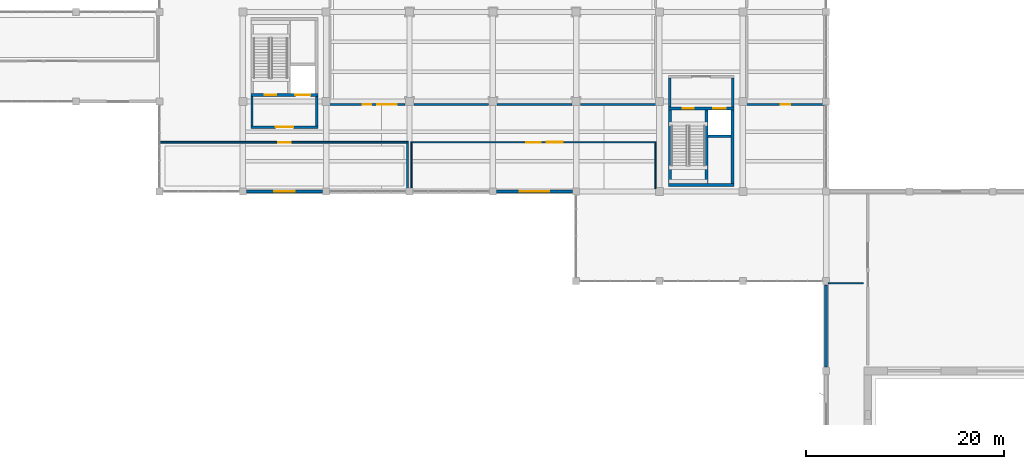
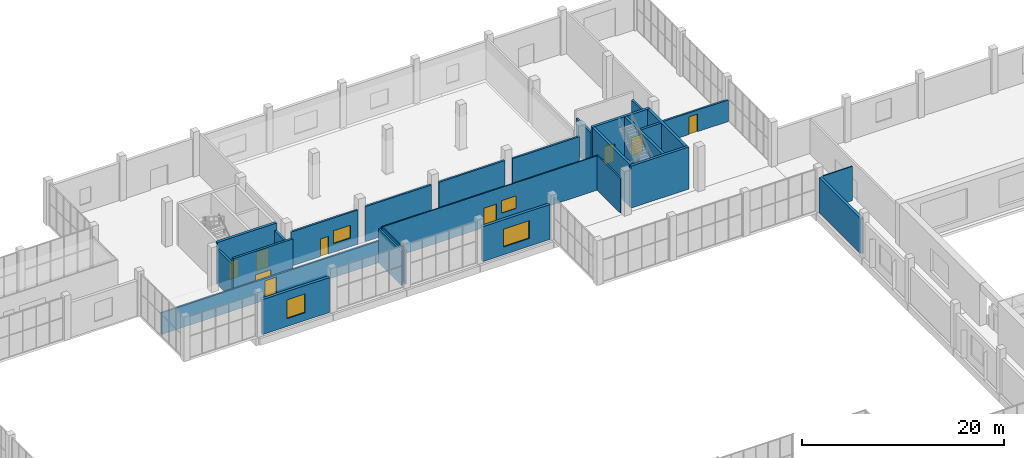
# One storey, part 81 of 91: 26 walls, 9 doors, 4 windows, 13 openings.
"""IFC4 building model written with IfcOpenShell, lengths in metres."""

from ifc_helpers import new_model, si_unit, direction, frame, frame_2d, origin, place, context, subcontext, project, spatial, rectangle, extrude, material, layer, layer_set, type_object, element, fill, save


model = new_model("IFC4")

# Units and contexts
model_context = context("Model", 3, precision=1e-05, world=origin(), true_north=direction((0.0, 1.0)))
body_context = subcontext(model_context, "Body", "Model", "MODEL_VIEW")
ifc_project = project(units=[si_unit("LENGTHUNIT", "METRE"), si_unit("AREAUNIT", "SQUARE_METRE"), si_unit("VOLUMEUNIT", "CUBIC_METRE"), si_unit("PLANEANGLEUNIT", "RADIAN"), si_unit("MASSUNIT", "GRAM", prefix="KILO")], contexts=[model_context])

# Site, building, storey
site_placement = place(None, origin())
site = spatial("IfcSite", under=ifc_project, at=site_placement, CompositionType="ELEMENT")
building_placement = place(site_placement, origin())
building = spatial("IfcBuilding", under=site, at=building_placement, Name="Khurvash Pelagic Aquarium", CompositionType="ELEMENT")
storey_placement = place(building_placement, origin())
storey = spatial("IfcBuildingStorey", under=building, at=storey_placement, Name="L00", CompositionType="ELEMENT", Elevation=0.0)

# Wall, opening, window
ifc_material_1 = material(Name="Precast concrete C40/50", Category="concrete")
ifc_layer_1 = layer(ifc_material_1, 0.320068359375)
ifc_layer_set_1 = layer_set([ifc_layer_1], Name="Precast concrete C40/50")
wall_type_1 = type_object("IfcWallType", Name="EW-320", PredefinedType="STANDARD", material=ifc_layer_set_1)
wall_1_placement = place(storey_placement, frame((67.554931640625, 84.050048828125, 0.0), z_axis=(0.0, 0.0, 1.0), x_axis=(1.0, 0.0, 0.0)))
wall_1 = element("IfcWall", 1, at=wall_1_placement, inside=storey, type_object=wall_type_1, Name="L00 Exterior Architectural Facade Wall EW-320 0034", PredefinedType="STANDARD", context=body_context, shape_type="SweptSolid", body=[
    extrude(rectangle(XDim=7.690185546875, YDim=0.320068359375, at=frame_2d((3.84521484375, 0.0))), origin(), (0.0, 0.0, 1.0), 4.22998046875),
])
opening_1_placement = place(wall_1_placement, frame((2.804931640625, 0.0, 0.949951171875)))
opening_1 = element("IfcOpeningElement", 2, at=opening_1_placement, cuts=wall_1, Name="Opening WN-36", PredefinedType="OPENING", context=body_context, shape_type="SweptSolid", body=[
    extrude(rectangle(XDim=2.080078125, YDim=2.280029296875, at=frame_2d((1.0400390625, 1.14013671875))), frame((0.0, 0.169921875, 0.0), z_axis=(0.0, -1.0, 0.0), x_axis=(1.0, 0.0, 0.0)), (0.0, 0.0, 1.0), 0.340087890625),
])
ifc_material_2 = material(Name="Thermally broken aluminium and low-E glass", Category="aluminium")
window_type_1 = type_object("IfcWindowType", Name="WN-36", PartitioningType="SINGLE_PANEL", PredefinedType="WINDOW", material=ifc_material_2)
window_1_placement = place(opening_1_placement, origin())
window_1 = element("IfcWindow", 3, at=window_1_placement, inside=storey, type_object=window_type_1, Name="L00 Facade Window WN-36 0016", OverallHeight=2.280029296875, OverallWidth=2.080078125, PartitioningType="SINGLE_PANEL", PredefinedType="WINDOW", context=body_context, shape_type="SweptSolid", body=[
    extrude(rectangle(XDim=2.080078125, YDim=2.280029296875, at=frame_2d((1.0400390625, 1.14013671875))), frame((0.0, 0.030029296875, 0.0), z_axis=(0.0, -1.0, 0.0), x_axis=(1.0, 0.0, 0.0)), (0.0, 0.0, 1.0), 0.06005859375),
])
fill(opening_1, window_1)

wall_2_placement = place(storey_placement, frame((92.7548828125, 84.050048828125, 0.0), z_axis=(0.0, 0.0, 1.0), x_axis=(1.0, 0.0, 0.0)))
wall_2 = element("IfcWall", 4, at=wall_2_placement, inside=storey, type_object=wall_type_1, Name="L00 Exterior Architectural Facade Wall EW-320 0035", PredefinedType="STANDARD", context=body_context, shape_type="SweptSolid", body=[
    extrude(rectangle(XDim=7.690185546875, YDim=0.320068359375, at=frame_2d((3.84521484375, 0.0))), origin(), (0.0, 0.0, 1.0), 4.22998046875),
])
opening_2_placement = place(wall_2_placement, frame((2.364990234375, 0.0, 0.949951171875)))
opening_2 = element("IfcOpeningElement", 5, at=opening_2_placement, cuts=wall_2, Name="Opening WN-40", PredefinedType="OPENING", context=body_context, shape_type="SweptSolid", body=[
    extrude(rectangle(XDim=2.9599609375, YDim=2.159912109375, at=frame_2d((1.47998046875, 1.080078125))), frame((0.0, 0.169921875, 0.0), z_axis=(0.0, -1.0, 0.0), x_axis=(1.0, 0.0, 0.0)), (0.0, 0.0, 1.0), 0.340087890625),
])
window_type_2 = type_object("IfcWindowType", Name="WN-40", PartitioningType="SINGLE_PANEL", PredefinedType="WINDOW", material=ifc_material_2)
window_2_placement = place(opening_2_placement, origin())
window_2 = element("IfcWindow", 6, at=window_2_placement, inside=storey, type_object=window_type_2, Name="L00 Facade Window WN-40 0017", OverallHeight=2.159912109375, OverallWidth=2.9599609375, PartitioningType="SINGLE_PANEL", PredefinedType="WINDOW", context=body_context, shape_type="SweptSolid", body=[
    extrude(rectangle(XDim=2.9599609375, YDim=2.159912109375, at=frame_2d((1.47998046875, 1.080078125))), frame((0.0, 0.030029296875, 0.0), z_axis=(0.0, -1.0, 0.0), x_axis=(1.0, 0.0, 0.0)), (0.0, 0.0, 1.0), 0.06005859375),
])
fill(opening_2, window_2)

# Walls
wall_3_placement = place(storey_placement, frame((126.0, 74.590087890625, 0.0), z_axis=(0.0, 0.0, 1.0), x_axis=(0.0, -1.0, 0.0)))
element("IfcWall", 7, at=wall_3_placement, inside=storey, type_object=wall_type_1, Name="L00 Ocean Tank Hall West Courtyard Wall EW-320 B6", PredefinedType="STANDARD", context=body_context, shape_type="SweptSolid", body=[
    extrude(rectangle(XDim=8.22998046875, YDim=0.320068359375, at=frame_2d((4.114990234375, 0.0))), origin(), (0.0, 0.0, 1.0), 4.239990234375),
])
ifc_material_3 = material(Name="Moisture-resistant gypsum and steel stud", Category="steel")
ifc_layer_2 = layer(ifc_material_3, 0.125)
ifc_layer_set_2 = layer_set([ifc_layer_2], Name="Moisture-resistant gypsum and steel stud")
wall_type_2 = type_object("IfcWallType", Name="PW-125", PredefinedType="PARTITIONING", material=ifc_layer_set_2)
wall_4_placement = place(storey_placement, frame((126.237060546875, 74.800048828125, 0.0), z_axis=(0.0, 0.0, 1.0), x_axis=(1.0, 0.0, 0.0)))
element("IfcWall", 8, at=wall_4_placement, inside=storey, type_object=wall_type_2, Name="L00 Ocean Tank West Viewing Concourse Partition Wall PW-125", PredefinedType="PARTITIONING", context=body_context, shape_type="SweptSolid", body=[
    extrude(rectangle(XDim=3.52490234375, YDim=0.125, at=frame_2d((1.762451171875, 0.0))), origin(), (0.0, 0.0, 1.0), 4.139892578125),
])

# Wall, openings, door, window
ifc_layer_3 = layer(ifc_material_3, 0.139892578125)
ifc_layer_set_3 = layer_set([ifc_layer_3], Name="Moisture-resistant gypsum and steel stud")
wall_type_3 = type_object("IfcWallType", Name="PW-140", PredefinedType="PARTITIONING", material=ifc_layer_set_3)
wall_5_placement = place(storey_placement, frame((84.1298828125, 89.0, 0.0), z_axis=(0.0, 0.0, 1.0), x_axis=(1.0, 0.0, 0.0)))
wall_5 = element("IfcWall", 9, at=wall_5_placement, inside=storey, type_object=wall_type_3, Name="L00 Husbandry Commissary and Food Prep Lab Partition Wall PW-140", PredefinedType="PARTITIONING", context=body_context, shape_type="SweptSolid", body=[
    extrude(rectangle(XDim=24.740234375, YDim=0.139892578125, at=frame_2d((12.3701171875, 0.0))), origin(), (0.0, 0.0, 1.0), 4.139892578125),
])
opening_3_placement = place(wall_5_placement, frame((11.64990234375, 0.0, 0.0)))
opening_3 = element("IfcOpeningElement", 10, at=opening_3_placement, cuts=wall_5, Name="Opening ID-14", PredefinedType="OPENING", context=body_context, shape_type="SweptSolid", body=[
    extrude(rectangle(XDim=1.43994140625, YDim=2.35009765625, at=frame_2d((0.719970703125, 1.175048828125))), frame((0.0, 0.080078125, 0.0), z_axis=(0.0, -1.0, 0.0), x_axis=(1.0, 0.0, 0.0)), (0.0, 0.0, 1.0), 0.159912109375),
])
opening_4_placement = place(wall_5_placement, frame((13.68994140625, 0.0, 1.050048828125)))
opening_4 = element("IfcOpeningElement", 11, at=opening_4_placement, cuts=wall_5, Name="Opening IW-07", PredefinedType="OPENING", context=body_context, shape_type="SweptSolid", body=[
    extrude(rectangle(XDim=1.64990234375, YDim=1.5, at=frame_2d((0.824951171875, 0.75))), frame((0.0, 0.080078125, 0.0), z_axis=(0.0, -1.0, 0.0), x_axis=(1.0, 0.0, 0.0)), (0.0, 0.0, 1.0), 0.159912109375),
])
ifc_material_4 = material(Name="Mechanical plant access door", Category="wood")
door_type_1 = type_object("IfcDoorType", Name="ID-14", OperationType="NOTDEFINED", PredefinedType="DOOR", material=ifc_material_4)
door_1_placement = place(opening_3_placement, frame((1.43994140625, 0.0, 0.0), z_axis=(0.0, 0.0, 1.0), x_axis=(-1.0, 0.0, 0.0)))
door_1 = element("IfcDoor", 12, at=door_1_placement, inside=storey, type_object=door_type_1, Name="DR-0081", OperationType="SINGLE_SWING_LEFT", OverallHeight=2.35009765625, OverallWidth=1.43994140625, PredefinedType="DOOR", context=body_context, shape_type="SweptSolid", body=[
    extrude(rectangle(XDim=1.43994140625, YDim=2.35009765625, at=frame_2d((0.719970703125, 1.175048828125))), frame((0.0, 0.02490234375, 0.0), z_axis=(0.0, -1.0, 0.0), x_axis=(1.0, 0.0, 0.0)), (0.0, 0.0, 1.0), 0.050048828125),
])
fill(opening_3, door_1)
ifc_material_5 = material(Name="Acoustic laminated interior observation glazing", Category="glass")
window_type_3 = type_object("IfcWindowType", Name="IW-07", PartitioningType="SINGLE_PANEL", PredefinedType="WINDOW", material=ifc_material_5)
window_3_placement = place(opening_4_placement, origin())
window_3 = element("IfcWindow", 13, at=window_3_placement, inside=storey, type_object=window_type_3, Name="L00 Husbandry Commissary and Food Prep Lab Observation Window IW-07", OverallHeight=1.5, OverallWidth=1.64990234375, PartitioningType="SINGLE_PANEL", PredefinedType="WINDOW", context=body_context, shape_type="SweptSolid", body=[
    extrude(rectangle(XDim=1.64990234375, YDim=1.5, at=frame_2d((0.824951171875, 0.75))), frame((0.0, 0.030029296875, 0.0), z_axis=(0.0, -1.0, 0.0), x_axis=(1.0, 0.0, 0.0)), (0.0, 0.0, 1.0), 0.06005859375),
])
fill(opening_4, window_3)

# Walls
wall_6_placement = place(storey_placement, frame((108.800048828125, 84.320068359375, 0.0), z_axis=(0.0, 0.0, 1.0), x_axis=(0.0, 1.0, 0.0)))
element("IfcWall", 14, at=wall_6_placement, inside=storey, type_object=wall_type_3, Name="L00 Husbandry Commissary and Food Prep Lab Partition Wall PW-140", PredefinedType="PARTITIONING", context=body_context, shape_type="SweptSolid", body=[
    extrude(rectangle(XDim=4.60986328125, YDim=0.139892578125, at=frame_2d((2.304931640625, 0.0))), origin(), (0.0, 0.0, 1.0), 4.22998046875),
])
wall_7_placement = place(storey_placement, frame((84.199951171875, 84.320068359375, 0.0), z_axis=(0.0, 0.0, 1.0), x_axis=(0.0, 1.0, 0.0)))
element("IfcWall", 15, at=wall_7_placement, inside=storey, type_object=wall_type_3, Name="L00 Husbandry Commissary and Food Prep Lab Partition Wall PW-140", PredefinedType="PARTITIONING", context=body_context, shape_type="SweptSolid", body=[
    extrude(rectangle(XDim=4.60986328125, YDim=0.139892578125, at=frame_2d((2.304931640625, 0.0))), origin(), (0.0, 0.0, 1.0), 4.139892578125),
])

# Wall, opening, door
ifc_material_6 = material(Name="AAC blockwork", Category="masonry")
ifc_layer_4 = layer(ifc_material_6, 0.18505859375)
ifc_layer_set_4 = layer_set([ifc_layer_4], Name="AAC blockwork")
wall_type_4 = type_object("IfcWallType", Name="PW-185", PredefinedType="PARTITIONING", material=ifc_layer_set_4)
wall_8_placement = place(storey_placement, frame((58.906982421875, 89.0, 0.0), z_axis=(0.0, 0.0, 1.0), x_axis=(1.0, 0.0, 0.0)))
wall_8 = element("IfcWall", 16, at=wall_8_placement, inside=storey, type_object=wall_type_4, Name="L00 Primary Marine Quarantine Tank Suite Partition Wall PW-185", PredefinedType="PARTITIONING", context=body_context, shape_type="SweptSolid", body=[
    extrude(rectangle(XDim=24.985107421875, YDim=0.18505859375, at=frame_2d((12.49267578125, 0.0))), origin(), (0.0, 0.0, 1.0), 2.616943359375),
])
opening_5_placement = place(wall_8_placement, frame((11.85205078125, 0.0, 0.0)))
opening_5 = element("IfcOpeningElement", 17, at=opening_5_placement, cuts=wall_8, Name="Opening ID-13", PredefinedType="OPENING", context=body_context, shape_type="SweptSolid", body=[
    extrude(rectangle(XDim=1.280029296875, YDim=2.35009765625, at=frame_2d((0.64013671875, 1.175048828125))), frame((0.0, 0.1025390625, 0.0), z_axis=(0.0, -1.0, 0.0), x_axis=(1.0, 0.0, 0.0)), (0.0, 0.0, 1.0), 0.205078125),
])
ifc_material_7 = material(Name="Veterinary surgical suite door", Category="wood")
door_type_2 = type_object("IfcDoorType", Name="ID-13", OperationType="NOTDEFINED", PredefinedType="DOOR", material=ifc_material_7)
door_2_placement = place(opening_5_placement, frame((1.280029296875, 0.0, 0.0), z_axis=(0.0, 0.0, 1.0), x_axis=(-1.0, 0.0, 0.0)))
door_2 = element("IfcDoor", 18, at=door_2_placement, inside=storey, type_object=door_type_2, Name="DR-0080", OperationType="SINGLE_SWING_RIGHT", OverallHeight=2.35009765625, OverallWidth=1.280029296875, PredefinedType="DOOR", context=body_context, shape_type="SweptSolid", body=[
    extrude(rectangle(XDim=1.280029296875, YDim=2.35009765625, at=frame_2d((0.64013671875, 1.175048828125))), frame((0.0, 0.02490234375, 0.0), z_axis=(0.0, -1.0, 0.0), x_axis=(1.0, 0.0, 0.0)), (0.0, 0.0, 1.0), 0.050048828125),
])
fill(opening_5, door_2)

# Wall
wall_9_placement = place(storey_placement, frame((83.800048828125, 84.343017578125, 0.0), z_axis=(0.0, 0.0, 1.0), x_axis=(0.0, 1.0, 0.0)))
element("IfcWall", 19, at=wall_9_placement, inside=storey, type_object=wall_type_4, Name="L00 Primary Marine Quarantine Tank Suite Partition Wall PW-185", PredefinedType="PARTITIONING", context=body_context, shape_type="SweptSolid", body=[
    extrude(rectangle(XDim=4.56396484375, YDim=0.18505859375, at=frame_2d((2.281982421875, 0.0))), origin(), (0.0, 0.0, 1.0), 4.139892578125),
])

# Wall, openings, door, window
ifc_layer_5 = layer(ifc_material_6, 0.215087890625)
ifc_layer_set_5 = layer_set([ifc_layer_5], Name="AAC blockwork")
wall_type_5 = type_object("IfcWallType", Name="PW-215", PredefinedType="PARTITIONING", material=ifc_layer_set_5)
wall_10_placement = place(storey_placement, frame((75.89208984375, 92.800048828125, 0.0), z_axis=(0.0, 0.0, 1.0), x_axis=(1.0, 0.0, 0.0)))
wall_10 = element("IfcWall", 20, at=wall_10_placement, inside=storey, type_object=wall_type_5, Name="L00 Elasmobranch Acclimation Tank Hall Partition Wall PW-215", PredefinedType="PARTITIONING", context=body_context, shape_type="SweptSolid", body=[
    extrude(rectangle(XDim=7.66796875, YDim=0.215087890625, at=frame_2d((3.833984375, 0.0))), origin(), (0.0, 0.0, 1.0), 4.139892578125),
])
opening_6_placement = place(wall_10_placement, frame((3.39404296875, 0.0, 0.0)))
opening_6 = element("IfcOpeningElement", 21, at=opening_6_placement, cuts=wall_10, Name="Opening ID-25", PredefinedType="OPENING", context=body_context, shape_type="SweptSolid", body=[
    extrude(rectangle(XDim=0.8798828125, YDim=2.1201171875, at=frame_2d((0.43994140625, 1.06005859375))), frame((0.0, 0.11767578125, 0.0), z_axis=(0.0, -1.0, 0.0), x_axis=(1.0, 0.0, 0.0)), (0.0, 0.0, 1.0), 0.235107421875),
])
opening_7_placement = place(wall_10_placement, frame((4.8740234375, 0.0, 1.050048828125)))
opening_7 = element("IfcOpeningElement", 22, at=opening_7_placement, cuts=wall_10, Name="Opening IW-08", PredefinedType="OPENING", context=body_context, shape_type="SweptSolid", body=[
    extrude(rectangle(XDim=1.949951171875, YDim=1.550048828125, at=frame_2d((0.97509765625, 0.77490234375))), frame((0.0, 0.11767578125, 0.0), z_axis=(0.0, -1.0, 0.0), x_axis=(1.0, 0.0, 0.0)), (0.0, 0.0, 1.0), 0.235107421875),
])
ifc_material_8 = material(Name="High-pressure laminate utility door", Category="wood")
door_type_3 = type_object("IfcDoorType", Name="ID-25", OperationType="NOTDEFINED", PredefinedType="DOOR", material=ifc_material_8)
door_3_placement = place(opening_6_placement, origin())
door_3 = element("IfcDoor", 23, at=door_3_placement, inside=storey, type_object=door_type_3, Name="DR-0082", OperationType="SINGLE_SWING_RIGHT", OverallHeight=2.1201171875, OverallWidth=0.8798828125, PredefinedType="DOOR", context=body_context, shape_type="SweptSolid", body=[
    extrude(rectangle(XDim=0.8798828125, YDim=2.1201171875, at=frame_2d((0.43994140625, 1.06005859375))), frame((0.0, 0.02490234375, 0.0), z_axis=(0.0, -1.0, 0.0), x_axis=(1.0, 0.0, 0.0)), (0.0, 0.0, 1.0), 0.050048828125),
])
fill(opening_6, door_3)
window_type_4 = type_object("IfcWindowType", Name="IW-08", PartitioningType="SINGLE_PANEL", PredefinedType="WINDOW", material=ifc_material_5)
window_4_placement = place(opening_7_placement, origin())
window_4 = element("IfcWindow", 24, at=window_4_placement, inside=storey, type_object=window_type_4, Name="L00 Elasmobranch Acclimation Tank Hall Observation Window IW-08", OverallHeight=1.550048828125, OverallWidth=1.949951171875, PartitioningType="SINGLE_PANEL", PredefinedType="WINDOW", context=body_context, shape_type="SweptSolid", body=[
    extrude(rectangle(XDim=1.949951171875, YDim=1.550048828125, at=frame_2d((0.97509765625, 0.77490234375))), frame((0.0, 0.030029296875, 0.0), z_axis=(0.0, -1.0, 0.0), x_axis=(1.0, 0.0, 0.0)), (0.0, 0.0, 1.0), 0.06005859375),
])
fill(opening_7, window_4)

# Walls
for number, where, z_axis, x_axis, name in (
    (25, (84.43994140625, 92.800048828125, 0.0), (0.0, 0.0, 1.0), (1.0, 0.0, 0.0), "L00 Elasmobranch Acclimation Tank Hall Partition Wall PW-215"),
    (26, (92.840087890625, 92.800048828125, 0.0), (0.0, 0.0, 1.0), (1.0, 0.0, 0.0), "L00 Elasmobranch Acclimation Tank Hall Partition Wall PW-215"),
):
    element("IfcWall", number, at=place(storey_placement, frame(where, z_axis=z_axis, x_axis=x_axis)), inside=storey, type_object=wall_type_5, Name=name, PredefinedType="PARTITIONING", context=body_context, shape_type="SweptSolid", body=[
        extrude(rectangle(XDim=7.52001953125, YDim=0.215087890625, at=frame_2d((3.760009765625, 0.0))), origin(), (0.0, 0.0, 1.0), 4.22998046875),
    ])
wall_11_placement = place(storey_placement, frame((101.239990234375, 92.800048828125, 0.0), z_axis=(0.0, 0.0, 1.0), x_axis=(1.0, 0.0, 0.0)))
element("IfcWall", 27, at=wall_11_placement, inside=storey, type_object=wall_type_5, Name="L00 Elasmobranch Acclimation Tank Hall Partition Wall PW-215", PredefinedType="PARTITIONING", context=body_context, shape_type="SweptSolid", body=[
    extrude(rectangle(XDim=7.6669921875, YDim=0.215087890625, at=frame_2d((3.83349609375, 0.0))), origin(), (0.0, 0.0, 1.0), 4.139892578125),
])

# Wall, opening, door
wall_12_placement = place(storey_placement, frame((117.89208984375, 92.800048828125, 0.0), z_axis=(0.0, 0.0, 1.0), x_axis=(1.0, 0.0, 0.0)))
wall_12 = element("IfcWall", 28, at=wall_12_placement, inside=storey, type_object=wall_type_5, Name="L00 Specimen Quarantine Loading Dock Partition Wall PW-215", PredefinedType="PARTITIONING", context=body_context, shape_type="SweptSolid", body=[
    extrude(rectangle(XDim=8.014892578125, YDim=0.215087890625, at=frame_2d((4.00732421875, 0.0))), origin(), (0.0, 0.0, 1.0), 2.616943359375),
])
opening_8_placement = place(wall_12_placement, frame((3.5380859375, 0.0, 0.0)))
opening_8 = element("IfcOpeningElement", 29, at=opening_8_placement, cuts=wall_12, Name="Opening ID-26", PredefinedType="OPENING", context=body_context, shape_type="SweptSolid", body=[
    extrude(rectangle(XDim=0.93994140625, YDim=2.139892578125, at=frame_2d((0.469970703125, 1.06982421875))), frame((0.0, 0.11767578125, 0.0), z_axis=(0.0, -1.0, 0.0), x_axis=(1.0, 0.0, 0.0)), (0.0, 0.0, 1.0), 0.235107421875),
])
ifc_material_9 = material(Name="High-pressure laminate store door", Category="wood")
door_type_4 = type_object("IfcDoorType", Name="ID-26", OperationType="NOTDEFINED", PredefinedType="DOOR", material=ifc_material_9)
door_4_placement = place(opening_8_placement, origin())
door_4 = element("IfcDoor", 30, at=door_4_placement, inside=storey, type_object=door_type_4, Name="DR-0083", OperationType="SINGLE_SWING_LEFT", OverallHeight=2.139892578125, OverallWidth=0.93994140625, PredefinedType="DOOR", context=body_context, shape_type="SweptSolid", body=[
    extrude(rectangle(XDim=0.93994140625, YDim=2.139892578125, at=frame_2d((0.469970703125, 1.06982421875))), frame((0.0, 0.02490234375, 0.0), z_axis=(0.0, -1.0, 0.0), x_axis=(1.0, 0.0, 0.0)), (0.0, 0.0, 1.0), 0.050048828125),
])
fill(opening_8, door_4)

ifc_layer_6 = layer(ifc_material_6, 0.25)
ifc_layer_set_6 = layer_set([ifc_layer_6], Name="AAC blockwork")
wall_type_6 = type_object("IfcWallType", Name="PW-250", PredefinedType="PARTITIONING", material=ifc_layer_set_6)
wall_13_placement = place(storey_placement, frame((68.0, 90.52490234375, 0.0), z_axis=(0.0, 0.0, 1.0), x_axis=(1.0, 0.0, 0.0)))
wall_13 = element("IfcWall", 31, at=wall_13_placement, inside=storey, type_object=wall_type_6, Name="L00 Core C4 Lobby Front Fire Wall PW-250", PredefinedType="PARTITIONING", context=body_context, shape_type="SweptSolid", body=[
    extrude(rectangle(XDim=6.800048828125, YDim=0.25, at=frame_2d((3.39990234375, 0.0))), origin(), (0.0, 0.0, 1.0), 5.090087890625),
])
opening_9_placement = place(wall_13_placement, frame((2.5, 0.0, 0.0)))
opening_9 = element("IfcOpeningElement", 32, at=opening_9_placement, cuts=wall_13, Name="Opening FD-02", PredefinedType="OPENING", context=body_context, shape_type="SweptSolid", body=[
    extrude(rectangle(XDim=1.800048828125, YDim=2.25, at=frame_2d((0.89990234375, 1.125))), frame((0.0, 0.135009765625, 0.0), z_axis=(0.0, -1.0, 0.0), x_axis=(1.0, 0.0, 0.0)), (0.0, 0.0, 1.0), 0.27001953125),
])
ifc_material_10 = material(Name="Galvanised steel double fire door", Category="steel")
door_type_5 = type_object("IfcDoorType", Name="FD-02", OperationType="DOUBLE_DOOR_SINGLE_SWING", PredefinedType="DOOR", material=ifc_material_10)
door_5_placement = place(opening_9_placement, frame((1.800048828125, 0.0, 0.0), z_axis=(0.0, 0.0, 1.0), x_axis=(-1.0, 0.0, 0.0)))
door_5 = element("IfcDoor", 33, at=door_5_placement, inside=storey, type_object=door_type_5, Name="DR-0087", OperationType="DOUBLE_DOOR_SINGLE_SWING", OverallHeight=2.25, OverallWidth=1.800048828125, PredefinedType="DOOR", context=body_context, shape_type="SweptSolid", body=[
    extrude(rectangle(XDim=1.800048828125, YDim=2.25, at=frame_2d((0.89990234375, 1.125))), frame((0.0, 0.02490234375, 0.0), z_axis=(0.0, -1.0, 0.0), x_axis=(1.0, 0.0, 0.0)), (0.0, 0.0, 1.0), 0.050048828125),
])
fill(opening_9, door_5)

# Walls
for number, where, z_axis, x_axis, name in (
    (34, (68.125, 90.64990234375, 0.0), (0.0, 0.0, 1.0), (0.0, 1.0, 0.0), "L00 Core C4 Lobby West Fire Wall PW-250"),
    (35, (74.675048828125, 90.64990234375, 0.0), (0.0, 0.0, 1.0), (0.0, 1.0, 0.0), "L00 Core C4 Lobby East Fire Wall PW-250"),
):
    element("IfcWall", number, at=place(storey_placement, frame(where, z_axis=z_axis, x_axis=x_axis)), inside=storey, type_object=wall_type_6, Name=name, PredefinedType="PARTITIONING", context=body_context, shape_type="SweptSolid", body=[
        extrude(rectangle(XDim=2.9501953125, YDim=0.25, at=frame_2d((1.47509765625, 0.0))), origin(), (0.0, 0.0, 1.0), 4.22998046875),
    ])
for number, where, z_axis, x_axis, name in (
    (36, (110.22509765625, 92.550048828125, 0.0), (0.0, 0.0, 1.0), (0.0, 1.0, 0.0), "L00 Core C6 Lobby West Fire Wall PW-250"),
    (37, (116.574951171875, 92.550048828125, 0.0), (0.0, 0.0, 1.0), (0.0, 1.0, 0.0), "L00 Core C6 Lobby East Fire Wall PW-250"),
):
    element("IfcWall", number, at=place(storey_placement, frame(where, z_axis=z_axis, x_axis=x_axis)), inside=storey, type_object=wall_type_6, Name=name, PredefinedType="PARTITIONING", context=body_context, shape_type="SweptSolid", body=[
        extrude(rectangle(XDim=2.949951171875, YDim=0.25, at=frame_2d((1.47509765625, 0.0))), origin(), (0.0, 0.0, 1.0), 4.22998046875),
    ])
ifc_material_11 = material(Name="Concrete C40/50", Category="concrete")
ifc_layer_7 = layer(ifc_material_11, 0.27490234375)
ifc_layer_set_7 = layer_set([ifc_layer_7], Name="Concrete C40/50")
wall_type_7 = type_object("IfcWallType", Name="SW-275", PredefinedType="SHEAR", material=ifc_layer_set_7)
wall_14_placement = place(storey_placement, frame((114.10009765625, 89.612060546875, 0.0), z_axis=(0.0, 0.0, 1.0), x_axis=(1.0, 0.0, 0.0)))
element("IfcWall", 38, at=wall_14_placement, inside=storey, type_object=wall_type_7, Name="L00 Lift PL-03 Shaft Rear Shear Wall SW-275", PredefinedType="SHEAR", context=body_context, shape_type="SweptSolid", body=[
    extrude(rectangle(XDim=2.2998046875, YDim=0.27490234375, at=frame_2d((1.14990234375, 0.0))), origin(), (0.0, 0.0, 1.0), 5.090087890625),
])

# Wall, openings, doors
ifc_layer_8 = layer(ifc_material_11, 0.300048828125)
ifc_layer_set_8 = layer_set([ifc_layer_8], Name="Concrete C40/50")
wall_type_8 = type_object("IfcWallType", Name="SW-300", PredefinedType="SHEAR", material=ifc_layer_set_8)
wall_15_placement = place(storey_placement, frame((68.0, 93.75, 0.0), z_axis=(0.0, 0.0, 1.0), x_axis=(1.0, 0.0, 0.0)))
wall_15 = element("IfcWall", 39, at=wall_15_placement, inside=storey, type_object=wall_type_8, Name="L00 Core C4 South Shear Wall SW-300", PredefinedType="SHEAR", context=body_context, shape_type="SweptSolid", body=[
    extrude(rectangle(XDim=6.800048828125, YDim=0.300048828125, at=frame_2d((3.39990234375, 0.0))), origin(), (0.0, 0.0, 1.0), 5.090087890625),
])
opening_10_placement = place(wall_15_placement, frame((1.425048828125, 0.0, 0.0)))
opening_10 = element("IfcOpeningElement", 40, at=opening_10_placement, cuts=wall_15, Name="Opening FD-01", PredefinedType="OPENING", context=body_context, shape_type="SweptSolid", body=[
    extrude(rectangle(XDim=1.14990234375, YDim=2.199951171875, at=frame_2d((0.574951171875, 1.10009765625))), frame((0.0, 0.16015625, 0.0), z_axis=(0.0, -1.0, 0.0), x_axis=(1.0, 0.0, 0.0)), (0.0, 0.0, 1.0), 0.320068359375),
])
opening_11_placement = place(wall_15_placement, frame((4.5, 0.0, 0.0)))
opening_11 = element("IfcOpeningElement", 41, at=opening_11_placement, cuts=wall_15, Name="Opening LD-03", PredefinedType="OPENING", context=body_context, shape_type="SweptSolid", body=[
    extrude(rectangle(XDim=1.5, YDim=2.300048828125, at=frame_2d((0.75, 1.14990234375))), frame((0.0, 0.16015625, 0.0), z_axis=(0.0, -1.0, 0.0), x_axis=(1.0, 0.0, 0.0)), (0.0, 0.0, 1.0), 0.320068359375),
])
ifc_material_12 = material(Name="Galvanised steel fire door", Category="steel")
door_type_6 = type_object("IfcDoorType", Name="FD-01", OperationType="NOTDEFINED", PredefinedType="DOOR", material=ifc_material_12)
door_6_placement = place(opening_10_placement, frame((1.14990234375, 0.0, 0.0), z_axis=(0.0, 0.0, 1.0), x_axis=(-1.0, 0.0, 0.0)))
door_6 = element("IfcDoor", 42, at=door_6_placement, inside=storey, type_object=door_type_6, Name="DR-0035", OperationType="SINGLE_SWING_RIGHT", OverallHeight=2.199951171875, OverallWidth=1.14990234375, PredefinedType="DOOR", context=body_context, shape_type="SweptSolid", body=[
    extrude(rectangle(XDim=1.14990234375, YDim=2.199951171875, at=frame_2d((0.574951171875, 1.10009765625))), frame((0.0, 0.02490234375, 0.0), z_axis=(0.0, -1.0, 0.0), x_axis=(1.0, 0.0, 0.0)), (0.0, 0.0, 1.0), 0.050048828125),
])
fill(opening_10, door_6)
ifc_material_13 = material(Name="Brushed stainless steel 316 goods lift landing door", Category="steel")
door_type_7 = type_object("IfcDoorType", Name="LD-03", OperationType="DOUBLE_DOOR_SLIDING", PredefinedType="DOOR", material=ifc_material_13)
door_7_placement = place(opening_11_placement, origin())
door_7 = element("IfcDoor", 43, at=door_7_placement, inside=storey, type_object=door_type_7, Name="DR-0041", OperationType="DOUBLE_DOOR_SLIDING", OverallHeight=2.300048828125, OverallWidth=1.5, PredefinedType="DOOR", context=body_context, shape_type="SweptSolid", body=[
    extrude(rectangle(XDim=1.5, YDim=2.300048828125, at=frame_2d((0.75, 1.14990234375))), frame((0.0, 0.02490234375, 0.0), z_axis=(0.0, -1.0, 0.0), x_axis=(1.0, 0.0, 0.0)), (0.0, 0.0, 1.0), 0.050048828125),
])
fill(opening_11, door_7)

# Wall
wall_16_placement = place(storey_placement, frame((110.10009765625, 84.699951171875, 0.0), z_axis=(0.0, 0.0, 1.0), x_axis=(1.0, 0.0, 0.0)))
element("IfcWall", 44, at=wall_16_placement, inside=storey, type_object=wall_type_8, Name="L00 Core C6 South Shear Wall SW-300", PredefinedType="SHEAR", context=body_context, shape_type="SweptSolid", body=[
    extrude(rectangle(XDim=6.599853515625, YDim=0.300048828125, at=frame_2d((3.2998046875, 0.0))), origin(), (0.0, 0.0, 1.0), 5.090087890625),
])

# Wall, openings, doors
wall_17_placement = place(storey_placement, frame((110.10009765625, 92.39990234375, 0.0), z_axis=(0.0, 0.0, 1.0), x_axis=(1.0, 0.0, 0.0)))
wall_17 = element("IfcWall", 45, at=wall_17_placement, inside=storey, type_object=wall_type_8, Name="L00 Core C6 North Shear Wall SW-300", PredefinedType="SHEAR", context=body_context, shape_type="SweptSolid", body=[
    extrude(rectangle(XDim=6.599853515625, YDim=0.300048828125, at=frame_2d((3.2998046875, 0.0))), origin(), (0.0, 0.0, 1.0), 5.090087890625),
])
opening_12_placement = place(wall_17_placement, frame((1.425048828125, 0.0, 0.0)))
opening_12 = element("IfcOpeningElement", 46, at=opening_12_placement, cuts=wall_17, Name="Opening FD-01", PredefinedType="OPENING", context=body_context, shape_type="SweptSolid", body=[
    extrude(rectangle(XDim=1.14990234375, YDim=2.199951171875, at=frame_2d((0.574951171875, 1.10009765625))), frame((0.0, 0.16015625, 0.0), z_axis=(0.0, -1.0, 0.0), x_axis=(1.0, 0.0, 0.0)), (0.0, 0.0, 1.0), 0.320068359375),
])
opening_13_placement = place(wall_17_placement, frame((4.5, 0.0, 0.0)))
opening_13 = element("IfcOpeningElement", 47, at=opening_13_placement, cuts=wall_17, Name="Opening LD-02", PredefinedType="OPENING", context=body_context, shape_type="SweptSolid", body=[
    extrude(rectangle(XDim=1.300048828125, YDim=2.199951171875, at=frame_2d((0.64990234375, 1.10009765625))), frame((0.0, 0.16015625, 0.0), z_axis=(0.0, -1.0, 0.0), x_axis=(1.0, 0.0, 0.0)), (0.0, 0.0, 1.0), 0.320068359375),
])
door_8_placement = place(opening_12_placement, origin())
door_8 = element("IfcDoor", 48, at=door_8_placement, inside=storey, type_object=door_type_6, Name="DR-0037", OperationType="SINGLE_SWING_LEFT", OverallHeight=2.199951171875, OverallWidth=1.14990234375, PredefinedType="DOOR", context=body_context, shape_type="SweptSolid", body=[
    extrude(rectangle(XDim=1.14990234375, YDim=2.199951171875, at=frame_2d((0.574951171875, 1.10009765625))), frame((0.0, 0.02490234375, 0.0), z_axis=(0.0, -1.0, 0.0), x_axis=(1.0, 0.0, 0.0)), (0.0, 0.0, 1.0), 0.050048828125),
])
fill(opening_12, door_8)
ifc_material_14 = material(Name="Brushed stainless steel 316 lift landing door", Category="steel")
door_type_8 = type_object("IfcDoorType", Name="LD-02", OperationType="DOUBLE_DOOR_SLIDING", PredefinedType="DOOR", material=ifc_material_14)
door_9_placement = place(opening_13_placement, origin())
door_9 = element("IfcDoor", 49, at=door_9_placement, inside=storey, type_object=door_type_8, Name="DR-0043", OperationType="DOUBLE_DOOR_SLIDING", OverallHeight=2.199951171875, OverallWidth=1.300048828125, PredefinedType="DOOR", context=body_context, shape_type="SweptSolid", body=[
    extrude(rectangle(XDim=1.300048828125, YDim=2.199951171875, at=frame_2d((0.64990234375, 1.10009765625))), frame((0.0, 0.02490234375, 0.0), z_axis=(0.0, -1.0, 0.0), x_axis=(1.0, 0.0, 0.0)), (0.0, 0.0, 1.0), 0.050048828125),
])
fill(opening_13, door_9)

# Walls
for number, where, z_axis, x_axis, name in (
    (50, (110.25, 84.85009765625, 0.0), (0.0, 0.0, 1.0), (0.0, 1.0, 0.0), "L00 Core C6 West Shear Wall SW-300"),
    (51, (116.550048828125, 84.85009765625, 0.0), (0.0, 0.0, 1.0), (0.0, 1.0, 0.0), "L00 Core C6 East Shear Wall SW-300"),
    (52, (113.949951171875, 84.85009765625, 0.0), (0.0, 0.0, 1.0), (0.0, 1.0, 0.0), "L00 Core C6 Divider Shear Wall SW-300"),
):
    element("IfcWall", number, at=place(storey_placement, frame(where, z_axis=z_axis, x_axis=x_axis)), inside=storey, type_object=wall_type_8, Name=name, PredefinedType="SHEAR", context=body_context, shape_type="SweptSolid", body=[
        extrude(rectangle(XDim=7.39990234375, YDim=0.300048828125, at=frame_2d((3.699951171875, 0.0))), origin(), (0.0, 0.0, 1.0), 5.090087890625),
    ])

save(model, "model.ifc")
